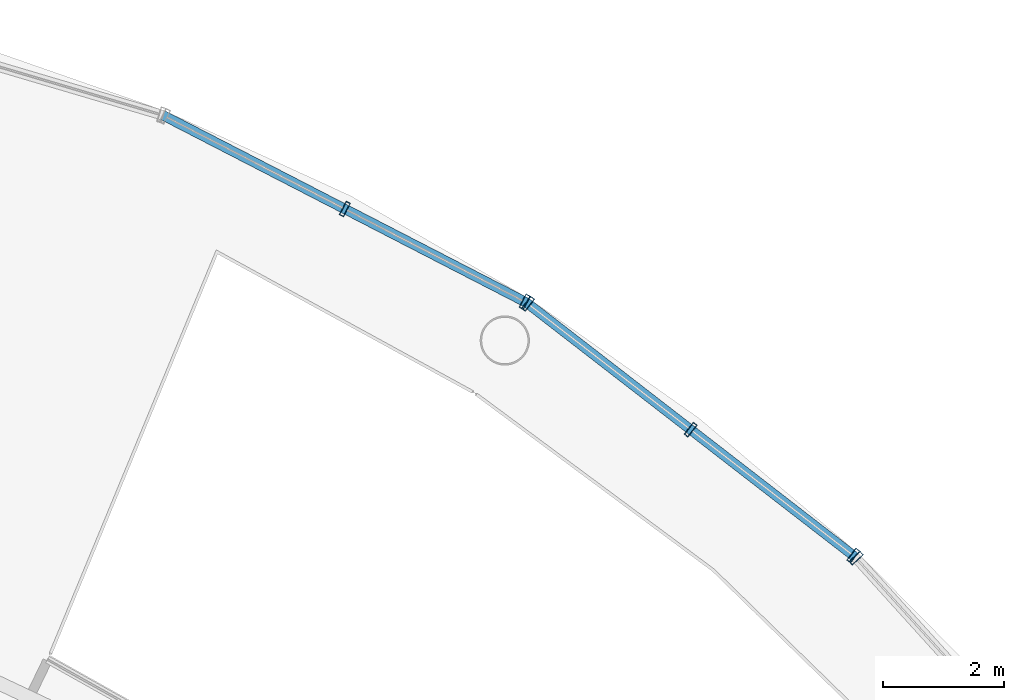
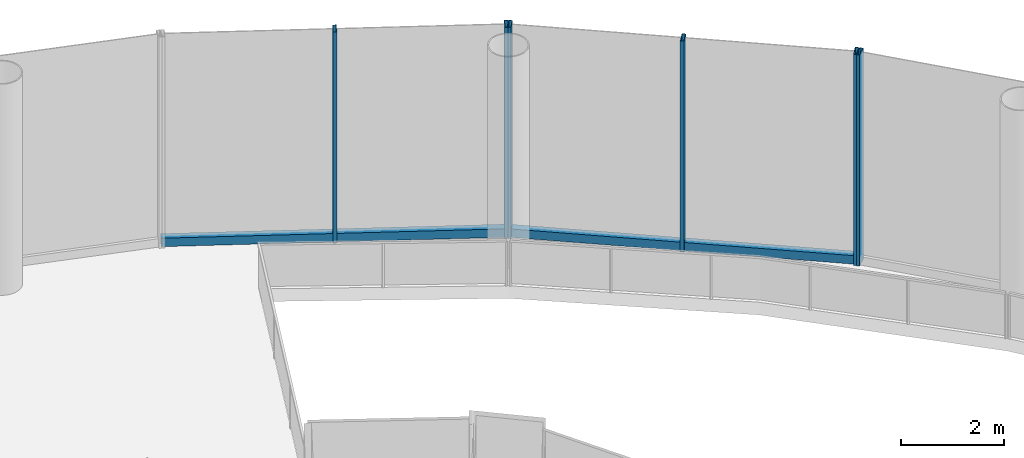
# One storey, part 36 of 47: 8 members, 3 elements without a shape of their own.
"""IFC4 building model written with IfcOpenShell, lengths in metres."""

import ifcopenshell
import ifcopenshell.guid

model = None  # the IFC model being written
_history = None  # IfcOwnerHistory: only IFC2X3 demands one
_inside = {}  # id of a spatial element -> (the spatial element, [elements in it])
_under = {}  # id of a project, library or spatial element -> (it, [spatial elements below it])
_declared = {}  # id of a project -> (the project, [libraries it declares])
_typed = {}  # id of a type object -> (the type object, [elements of that type])
_made_of = {}  # id of a material, layer set ... -> (it, [elements and type objects made of it])


def new_model(schema):
    """Start an empty IFC model of exactly this schema.

    Asked for "IFC4X3", IfcOpenShell would pick the latest addendum, in which some entities
    have other attributes; the version numbers below select the first issue.
    IFC2X3 requires an IfcOwnerHistory on every rooted entity: one is made here for all.
    """
    global model, _history
    if schema == "IFC4X3":
        model = ifcopenshell.file(schema_version=(4, 3, 0, 0))
    else:
        model = ifcopenshell.file(schema=schema)
    _inside.clear()
    _under.clear()
    _declared.clear()
    _typed.clear()
    _made_of.clear()
    _history = None
    if model.schema == "IFC2X3":
        org = make("IfcOrganization", Name="unknown")
        user = make(
            "IfcPersonAndOrganization",
            ThePerson=make("IfcPerson", FamilyName="unknown"),
            TheOrganization=org,
        )
        app = make(
            "IfcApplication",
            ApplicationDeveloper=org,
            Version="unknown",
            ApplicationFullName="unknown",
            ApplicationIdentifier="unknown",
        )
        _history = make(
            "IfcOwnerHistory",
            OwningUser=user,
            OwningApplication=app,
            ChangeAction="ADDED",
            CreationDate=0,
        )
    return model


def make(cls, **values):
    """One entity of the class cls with the attributes given. An attribute that is None is left unset."""
    return model.create_entity(
        cls, **{name: value for name, value in values.items() if value is not None}
    )


def rooted(cls, **values):
    """An entity with a GlobalId (a new one), such as an element, a storey or a relation."""
    return make(cls, GlobalId=ifcopenshell.guid.new(), OwnerHistory=_history, **values)


def si_unit(unit_type, name, prefix=None):
    """IfcSIUnit, for example si_unit("LENGTHUNIT", "METRE", prefix="MILLI")."""
    return make("IfcSIUnit", UnitType=unit_type, Prefix=prefix, Name=name)


def assignment(units):
    """IfcUnitAssignment: the units of a project."""
    return None if units is None else make("IfcUnitAssignment", Units=units)


def point(xyz):
    """IfcCartesianPoint."""
    return None if xyz is None else make("IfcCartesianPoint", Coordinates=xyz)


def direction(xyz):
    """IfcDirection."""
    return None if xyz is None else make("IfcDirection", DirectionRatios=xyz)


def frame(location, z_axis=None, x_axis=None):
    """IfcAxis2Placement3D, a coordinate frame: its origin and axes. An axis left out is left unset."""
    return make(
        "IfcAxis2Placement3D",
        Location=point(location),
        Axis=direction(z_axis),
        RefDirection=direction(x_axis),
    )


def frame_2d(location, x_axis=None):
    """IfcAxis2Placement2D, a coordinate frame in the plane: its origin and x axis."""
    return make(
        "IfcAxis2Placement2D", Location=point(location), RefDirection=direction(x_axis)
    )


def origin():
    """The frame at (0, 0, 0) with its axes left unset."""
    return frame((0.0, 0.0, 0.0))


def origin_2d():
    """The frame at (0, 0) in the plane with its x axis left unset."""
    return frame_2d((0.0, 0.0))


def place(relative_to, where):
    """IfcLocalPlacement: puts the frame where relative to a parent placement (None: the world)."""
    return make(
        "IfcLocalPlacement", PlacementRelTo=relative_to, RelativePlacement=where
    )


def context(
    kind, dimensions, precision=None, world=None, true_north=None, identifier=None
):
    """IfcGeometricRepresentationContext, for example the 3D "Model" context."""
    return make(
        "IfcGeometricRepresentationContext",
        ContextIdentifier=identifier,
        ContextType=kind,
        CoordinateSpaceDimension=dimensions,
        Precision=precision,
        WorldCoordinateSystem=world,
        TrueNorth=true_north,
    )


def subcontext(parent, identifier, kind, view, scale=None):
    """IfcGeometricRepresentationSubContext, for example "Body" below "Model"."""
    return make(
        "IfcGeometricRepresentationSubContext",
        ContextIdentifier=identifier,
        ContextType=kind,
        ParentContext=parent,
        TargetScale=scale,
        TargetView=view,
    )


def project(units=None, contexts=None):
    """IfcProject with its units and contexts."""
    return rooted(
        "IfcProject",
        Name="project",
        RepresentationContexts=contexts,
        UnitsInContext=assignment(units),
    )


def spatial(cls, under=None, at=None, **own):
    """A site, building, storey or space (cls), placed at a placement, below another one or the project."""
    s = rooted(cls, ObjectPlacement=at, **own)
    if under is not None:
        _under.setdefault(under.id(), (under, []))[1].append(s)
    return s


def profile(cls, at=None, kind="AREA", **sizes):
    """A parametric profile (cls). Its sizes go by their IFC names, for example OverallWidth=200.0."""
    return make(cls, ProfileType=kind, Position=at, **sizes)


def hollow_rectangle(**sizes):
    """IfcRectangleHollowProfileDef."""
    return profile("IfcRectangleHollowProfileDef", **sizes)


def extrude(swept, where, along, depth):
    """IfcExtrudedAreaSolid: the profile swept, set in the frame where, extruded along a direction by depth."""
    return make(
        "IfcExtrudedAreaSolid",
        SweptArea=swept,
        Position=where,
        ExtrudedDirection=direction(along),
        Depth=depth,
    )


def shape(context_of_items, identifier, shape_type, items):
    """IfcShapeRepresentation: the items that make up one representation, for example the "Body"."""
    return make(
        "IfcShapeRepresentation",
        ContextOfItems=context_of_items,
        RepresentationIdentifier=identifier,
        RepresentationType=shape_type,
        Items=items,
    )


def material(Name=None, Category=None):
    """IfcMaterial."""
    return make("IfcMaterial", Name=Name, Category=Category)


def layer(
    of_material, thickness, ventilated=None, Name=None, Category=None, Priority=None
):
    """IfcMaterialLayer: one layer of a wall or slab, of a material (None: an air gap)."""
    return make(
        "IfcMaterialLayer",
        Material=of_material,
        LayerThickness=thickness,
        IsVentilated=ventilated,
        Name=Name,
        Category=Category,
        Priority=Priority,
    )


def layer_set(layers, Name=None):
    """IfcMaterialLayerSet."""
    return make("IfcMaterialLayerSet", MaterialLayers=layers, LayerSetName=Name)


def material_profile(
    of_material, cross_section, Name=None, Category=None, Priority=None
):
    """IfcMaterialProfile: a cross section and its material."""
    return make(
        "IfcMaterialProfile",
        Name=Name,
        Material=of_material,
        Profile=cross_section,
        Priority=Priority,
        Category=Category,
    )


def profile_set(profiles, Name=None, composite=None):
    """IfcMaterialProfileSet."""
    return make(
        "IfcMaterialProfileSet",
        Name=Name,
        MaterialProfiles=profiles,
        CompositeProfile=composite,
    )


def made_of(thing, what):
    """Note that an element or type object is made of a material, layer set ...; save() writes the relation."""
    if what is not None:
        _made_of.setdefault(what.id(), (what, []))[1].append(thing)
    return thing


def type_object(cls, material=None, **own):
    """A type object (cls), such as IfcWallType, which elements share."""
    return made_of(rooted(cls, **own), material)


def element(
    cls,
    number,
    at=None,
    inside=None,
    cuts=None,
    type_object=None,
    material=None,
    context=None,
    identifier="Body",
    shape_type=None,
    held_by="IfcProductDefinitionShape",
    body=None,
    shapes=None,
    **own,
):
    """One element of the class cls, such as IfcWall. Its Tag is "e" and its number.

    at: its placement. inside: the storey or other place that contains it. cuts: it is an
    opening in that element (IfcRelVoidsElement). A single representation is given by context,
    identifier, shape_type and body (its items); several are given by shapes. held_by: the class
    of the entity that holds the representations. save() writes the other relations.
    """
    e = rooted(cls, Tag="e%d" % number, ObjectPlacement=at, **own)
    if body is not None:
        shapes = [shape(context, identifier, shape_type, body)]
    if shapes is not None:
        e.Representation = make(held_by, Representations=shapes)
    if inside is not None:
        _inside.setdefault(inside.id(), (inside, []))[1].append(e)
    if cuts is not None:
        rooted(
            "IfcRelVoidsElement", RelatingBuildingElement=cuts, RelatedOpeningElement=e
        )
    if type_object is not None:
        _typed.setdefault(type_object.id(), (type_object, []))[1].append(e)
    return made_of(e, material)


def aggregate(whole, parts):
    """IfcRelAggregates: a whole, such as a stair, and the parts it consists of."""
    return rooted("IfcRelAggregates", RelatingObject=whole, RelatedObjects=parts)


def save(model, path):
    """Write the relations noted so far, then the file.

    IfcRelAggregates (storeys below a building ...), IfcRelContainedInSpatialStructure (elements
    in a storey), IfcRelDefinesByType, IfcRelAssociatesMaterial and IfcRelDeclares: one each for
    every whole, place, type object, material and project.
    """
    for whole, parts in _under.values():
        aggregate(whole, parts)
    for where, things in _inside.values():
        rooted(
            "IfcRelContainedInSpatialStructure",
            RelatedElements=things,
            RelatingStructure=where,
        )
    for kind, things in _typed.values():
        rooted("IfcRelDefinesByType", RelatedObjects=things, RelatingType=kind)
    for what, things in _made_of.values():
        rooted("IfcRelAssociatesMaterial", RelatedObjects=things, RelatingMaterial=what)
    for by, libraries in _declared.values():
        rooted("IfcRelDeclares", RelatingContext=by, RelatedDefinitions=libraries)
    model.write(path)


model = new_model("IFC4")

# Units and contexts
model_context = context("Model", 3, precision=1e-05, world=origin(), true_north=direction((0.0, 1.0)))
body_context = subcontext(model_context, "Body", "Model", "MODEL_VIEW")
ifc_project = project(units=[si_unit("LENGTHUNIT", "METRE"), si_unit("AREAUNIT", "SQUARE_METRE"), si_unit("VOLUMEUNIT", "CUBIC_METRE"), si_unit("PLANEANGLEUNIT", "RADIAN"), si_unit("MASSUNIT", "GRAM", prefix="KILO")], contexts=[model_context])

# Site, building, storey
site_placement = place(None, origin())
site = spatial("IfcSite", under=ifc_project, at=site_placement, CompositionType="ELEMENT")
building_placement = place(site_placement, origin())
building = spatial("IfcBuilding", under=site, at=building_placement, Name="Nagisa Residences", CompositionType="ELEMENT")
storey_placement = place(building_placement, frame((0.0, 0.0, 7.0)))
storey = spatial("IfcBuildingStorey", under=building, at=storey_placement, Name="L01", CompositionType="ELEMENT", Elevation=7.0)

# Curtain wall, member
ifc_material_1 = material(Name="Stainless steel curtain wall system", Category="steel")
ifc_layer = layer(ifc_material_1, 0.159912109375)
ifc_layer_set = layer_set([ifc_layer], Name="CW3 CURTAIN WALL")
curtain_wall_type = type_object("IfcCurtainWallType", Name="CW3 CURTAIN WALL", PredefinedType="NOTDEFINED", material=ifc_layer_set)
curtain_wall_1_placement = place(storey_placement, origin())
curtain_wall_1 = element("IfcCurtainWall", 1, at=curtain_wall_1_placement, inside=storey, type_object=curtain_wall_type, Name="cw:CW3:L01:04", PredefinedType="NOTDEFINED")
ifc_material_2 = material(Name="Stainless steel", Category="steel")
ifc_material_profile_1 = material_profile(ifc_material_2, hollow_rectangle(XDim=0.25, YDim=0.080078125, WallThickness=0.008056640625, at=origin_2d()), Name="CW3 MULLION 250x80")
ifc_profile_set_1 = profile_set([ifc_material_profile_1], Name="Stainless steel")
member_type_1 = type_object("IfcMemberType", Name="CW3 MULLION 250x80", PredefinedType="MULLION", material=ifc_profile_set_1)
member_1_placement = place(storey_placement, frame((27.993408203125, 32.090576171875, 0.0), z_axis=(0.0, 0.0, 1.0), x_axis=(-0.741535779122, -0.670913323971, 0.0)))
member_1 = element("IfcMember", 2, at=member_1_placement, type_object=member_type_1, Name="CW3 mullion", PredefinedType="MULLION", context=body_context, shape_type="SweptSolid", body=[
    extrude(hollow_rectangle(XDim=0.25, YDim=0.080078125, WallThickness=0.008056640625, at=origin_2d()), origin(), (0.0, 0.0, 1.0), 5.0),
])
aggregate(curtain_wall_1, [member_1])

# Curtain wall, members
curtain_wall_2_placement = place(storey_placement, origin())
curtain_wall_2 = element("IfcCurtainWall", 3, at=curtain_wall_2_placement, inside=storey, type_object=curtain_wall_type, Name="cw:CW3:L01:05", PredefinedType="NOTDEFINED")
member_2_placement = place(storey_placement, frame((27.9453125, 32.135009765625, 0.0), z_axis=(0.0, 0.0, 1.0), x_axis=(-0.612034757172, -0.790830864353, 0.0)))
member_2 = element("IfcMember", 4, at=member_2_placement, type_object=member_type_1, Name="CW3 mullion", PredefinedType="MULLION", context=body_context, shape_type="SweptSolid", body=[
    extrude(hollow_rectangle(XDim=0.25, YDim=0.080078125, WallThickness=0.008056640625, at=origin_2d()), origin(), (0.0, 0.0, 1.0), 5.0),
])
member_3_placement = place(storey_placement, frame((25.263916015625, 34.210205078125, 0.0), z_axis=(0.0, 0.0, 1.0), x_axis=(-0.612034757172, -0.790830864353, 0.0)))
member_3 = element("IfcMember", 5, at=member_3_placement, type_object=member_type_1, Name="CW3 mullion", PredefinedType="MULLION", context=body_context, shape_type="SweptSolid", body=[
    extrude(hollow_rectangle(XDim=0.25, YDim=0.080078125, WallThickness=0.008056640625, at=origin_2d()), origin(), (0.0, 0.0, 1.0), 5.0),
])
member_4_placement = place(storey_placement, frame((22.582763671875, 36.285400390625, 0.0), z_axis=(0.0, 0.0, 1.0), x_axis=(-0.612034757172, -0.790830864353, 0.0)))
member_4 = element("IfcMember", 6, at=member_4_placement, type_object=member_type_1, Name="CW3 mullion", PredefinedType="MULLION", context=body_context, shape_type="SweptSolid", body=[
    extrude(hollow_rectangle(XDim=0.25, YDim=0.080078125, WallThickness=0.008056640625, at=origin_2d()), origin(), (0.0, 0.0, 1.0), 5.0),
])

curtain_wall_3_placement = place(storey_placement, origin())
curtain_wall_3 = element("IfcCurtainWall", 7, at=curtain_wall_3_placement, inside=storey, type_object=curtain_wall_type, Name="cw:CW3:L01:06", PredefinedType="NOTDEFINED")
member_5_placement = place(storey_placement, frame((22.52783203125, 36.3203125, 0.0), z_axis=(0.0, 0.0, 1.0), x_axis=(-0.45812598783, -0.888887270285, 0.0)))
member_5 = element("IfcMember", 8, at=member_5_placement, type_object=member_type_1, Name="CW3 mullion", PredefinedType="MULLION", context=body_context, shape_type="SweptSolid", body=[
    extrude(hollow_rectangle(XDim=0.25, YDim=0.080078125, WallThickness=0.008056640625, at=origin_2d()), origin(), (0.0, 0.0, 1.0), 5.0),
])
member_6_placement = place(storey_placement, frame((19.561767578125, 37.848876953125, 0.0), z_axis=(0.0, 0.0, 1.0), x_axis=(-0.45812598783, -0.888887270285, 0.0)))
member_6 = element("IfcMember", 9, at=member_6_placement, type_object=member_type_1, Name="CW3 mullion", PredefinedType="MULLION", context=body_context, shape_type="SweptSolid", body=[
    extrude(hollow_rectangle(XDim=0.25, YDim=0.080078125, WallThickness=0.008056640625, at=origin_2d()), origin(), (0.0, 0.0, 1.0), 5.0),
])

# Member
ifc_material_3 = material(Name="Stainless steel", Category="steel")
ifc_material_profile_2 = material_profile(ifc_material_3, hollow_rectangle(XDim=0.159912109375, YDim=0.199951171875, WallThickness=0.008056640625, at=origin_2d()), Name="CW3 TRANSOM 160x200")
ifc_profile_set_2 = profile_set([ifc_material_profile_2], Name="Stainless steel")
member_type_2 = type_object("IfcMemberType", Name="CW3 TRANSOM 160x200", PredefinedType="USERDEFINED", material=ifc_profile_set_2)
member_7_placement = place(storey_placement, frame((27.97705078125, 32.110595703125, 0.10009765625), z_axis=(-0.790834819486, 0.612029646576, 0.0), x_axis=(-0.612029646576, -0.790834819486, 0.0)))
member_7 = element("IfcMember", 10, at=member_7_placement, type_object=member_type_2, Name="CW3 transom", ObjectType="TRANSOM", PredefinedType="USERDEFINED", context=body_context, shape_type="SweptSolid", body=[
    extrude(hollow_rectangle(XDim=0.159912109375, YDim=0.199951171875, WallThickness=0.008056640625, at=origin_2d()), origin(), (0.0, 0.0, 1.0), 6.861083984375),
])

aggregate(curtain_wall_2, [member_2, member_3, member_4, member_7])

member_8_placement = place(storey_placement, frame((22.563232421875, 36.302001953125, 0.10009765625), z_axis=(-0.888887130152, 0.458126259726, 0.0), x_axis=(-0.458126259726, -0.888887130152, 0.0)))
member_8 = element("IfcMember", 11, at=member_8_placement, type_object=member_type_2, Name="CW3 transom", ObjectType="TRANSOM", PredefinedType="USERDEFINED", context=body_context, shape_type="SweptSolid", body=[
    extrude(hollow_rectangle(XDim=0.159912109375, YDim=0.199951171875, WallThickness=0.008056640625, at=origin_2d()), origin(), (0.0, 0.0, 1.0), 6.753662109375),
])

aggregate(curtain_wall_3, [member_5, member_6, member_8])

save(model, "model.ifc")
